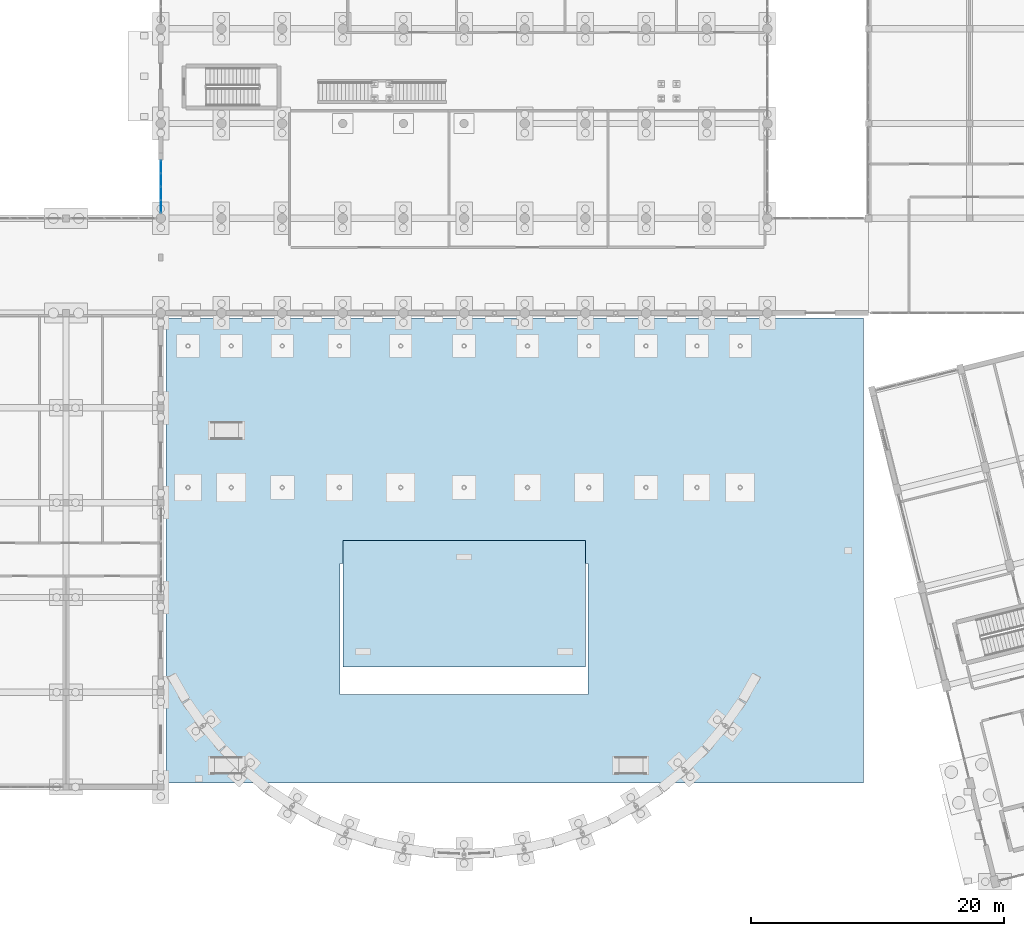
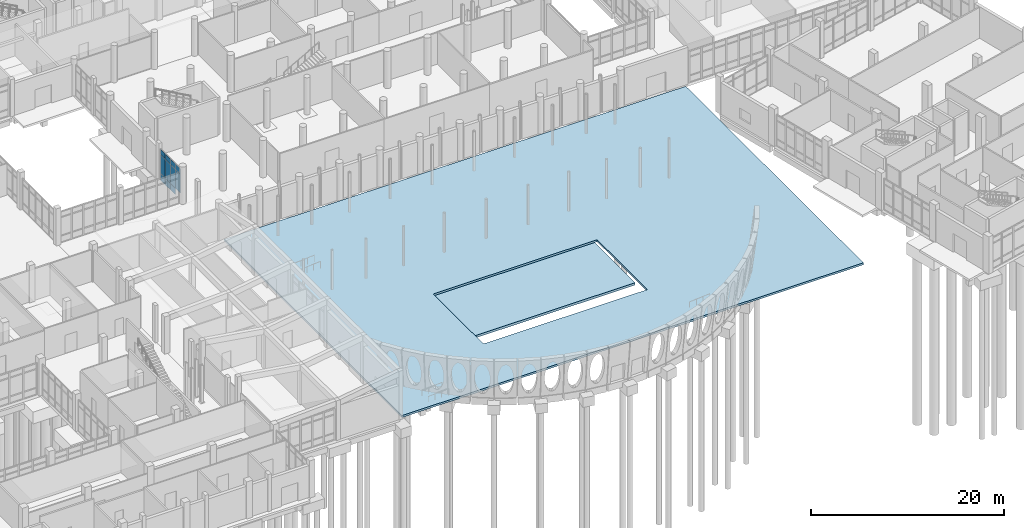
# One storey, part 130 of 173: 11 plates, 2 slabs, 1 element without a shape of its own.
"""IFC4 building model written with IfcOpenShell, lengths in metres."""

from ifc_helpers import new_model, si_unit, direction, frame, origin, origin_2d, place, context, subcontext, project, spatial, polyline, rectangle, outline, extrude, material, layer, layer_set, type_object, element, aggregate, save


model = new_model("IFC4")

# Units and contexts
model_context = context("Model", 3, precision=1e-05, world=origin(), true_north=direction((0.0, 1.0)))
body_context = subcontext(model_context, "Body", "Model", "MODEL_VIEW")
ifc_project = project(units=[si_unit("LENGTHUNIT", "METRE"), si_unit("AREAUNIT", "SQUARE_METRE"), si_unit("VOLUMEUNIT", "CUBIC_METRE"), si_unit("PLANEANGLEUNIT", "RADIAN"), si_unit("MASSUNIT", "GRAM", prefix="KILO")], contexts=[model_context])

# Site, building, storey
site_placement = place(None, origin())
site = spatial("IfcSite", under=ifc_project, at=site_placement, CompositionType="ELEMENT")
building_placement = place(site_placement, origin())
building = spatial("IfcBuilding", under=site, at=building_placement, Name="Mawjan Specialist Oncology Clinic", CompositionType="ELEMENT")
storey_placement = place(building_placement, origin())
storey = spatial("IfcBuildingStorey", under=building, at=storey_placement, Name="L00", CompositionType="ELEMENT", Elevation=0.0)

# Slab
ifc_material_1 = material(Name="Concrete C40/50", Category="concrete")
ifc_layer_1 = layer(ifc_material_1, 0.25, Name="Concrete C40/50", Category="concrete")
ifc_layer_set_1 = layer_set([ifc_layer_1], Name="Concrete C40/50")
slab_type_1 = type_object("IfcSlabType", Name="AP-250", PredefinedType="BASESLAB", material=ifc_layer_set_1)
slab_1_placement = place(storey_placement, frame((0.0, 0.0, -0.25)))
element("IfcSlab", 1, at=slab_1_placement, inside=storey, type_object=slab_type_1, Name="Ground Exterior Paved Apron SLB-APR-C1", PredefinedType="BASESLAB", context=body_context, shape_type="SweptSolid", body=[
    extrude(outline(polyline([(60.39990234375, 8.60009765625), (115.60009765625, 8.60009765625), (115.60009765625, 45.39990234375), (60.39990234375, 45.39990234375), (60.39990234375, 8.60009765625)]), holes=[polyline([(74.199951171875, 15.60009765625), (93.800048828125, 15.60009765625), (93.800048828125, 26.0), (74.199951171875, 26.0), (74.199951171875, 15.60009765625)])]), origin(), (0.0, 0.0, 1.0), 0.25),
])

# Curtain wall, plates
ifc_material_2 = material(Name="Unitised spectrally selective aluminium curtain wall", Category="aluminium")
ifc_layer_2 = layer(ifc_material_2, 0.179931640625, Name="Unitised spectrally selective aluminium curtain wall", Category="aluminium")
ifc_layer_set_2 = layer_set([ifc_layer_2], Name="Unitised spectrally selective aluminium curtain wall")
curtain_wall_type = type_object("IfcCurtainWallType", Name="CW-23", PredefinedType="NOTDEFINED", material=ifc_layer_set_2)
curtain_wall_placement = place(storey_placement, origin())
curtain_wall = element("IfcCurtainWall", 2, at=curtain_wall_placement, inside=storey, type_object=curtain_wall_type, Name="L00 Unitised Curtain Wall CW-L00-041", PredefinedType="NOTDEFINED")
ifc_material_3 = material(Name="Spectrally selective double low-E glazing", Category="glass")
ifc_layer_3 = layer(ifc_material_3, 0.035888671875, Name="Spectrally selective double low-E glazing", Category="glass")
ifc_layer_set_3 = layer_set([ifc_layer_3], Name="Spectrally selective double low-E glazing")
plate_type = type_object("IfcPlateType", Name="CW-P36", PredefinedType="CURTAIN_PANEL", material=ifc_layer_set_3)
plate_1_placement = place(storey_placement, frame((60.0, 54.236328125, 0.93017578125), z_axis=(0.0, 0.0, 1.0), x_axis=(0.0, 1.0, 0.0)))
plate_1 = element("IfcPlate", 3, at=plate_1_placement, type_object=plate_type, Name="CW-23 panel 1.2", PredefinedType="CURTAIN_PANEL", context=body_context, shape_type="SweptSolid", body=[
    extrude(rectangle(XDim=0.96240234375, YDim=0.035888671875, at=origin_2d()), origin(), (0.0, 0.0, 1.0), 2.324951171875),
])
plate_2_placement = place(storey_placement, frame((60.0, 54.236328125, 3.31494140625), z_axis=(0.0, 0.0, 1.0), x_axis=(0.0, 1.0, 0.0)))
plate_2 = element("IfcPlate", 4, at=plate_2_placement, type_object=plate_type, Name="CW-23 panel 1.3", PredefinedType="CURTAIN_PANEL", context=body_context, shape_type="SweptSolid", body=[
    extrude(rectangle(XDim=0.96240234375, YDim=0.035888671875, at=origin_2d()), origin(), (0.0, 0.0, 1.0), 0.659912109375),
])
plate_3_placement = place(storey_placement, frame((60.0, 55.273681640625, 0.06005859375), z_axis=(0.0, 0.0, 1.0), x_axis=(0.0, 1.0, 0.0)))
plate_3 = element("IfcPlate", 5, at=plate_3_placement, type_object=plate_type, Name="CW-23 panel 2.1", PredefinedType="CURTAIN_PANEL", context=body_context, shape_type="SweptSolid", body=[
    extrude(rectangle(XDim=0.992431640625, YDim=0.035888671875, at=origin_2d()), origin(), (0.0, 0.0, 1.0), 0.81005859375),
])
plate_4_placement = place(storey_placement, frame((60.0, 55.273681640625, 0.93017578125), z_axis=(0.0, 0.0, 1.0), x_axis=(0.0, 1.0, 0.0)))
plate_4 = element("IfcPlate", 6, at=plate_4_placement, type_object=plate_type, Name="CW-23 panel 2.2", PredefinedType="CURTAIN_PANEL", context=body_context, shape_type="SweptSolid", body=[
    extrude(rectangle(XDim=0.992431640625, YDim=0.035888671875, at=origin_2d()), origin(), (0.0, 0.0, 1.0), 2.324951171875),
])
plate_5_placement = place(storey_placement, frame((60.0, 55.273681640625, 3.31494140625), z_axis=(0.0, 0.0, 1.0), x_axis=(0.0, 1.0, 0.0)))
plate_5 = element("IfcPlate", 7, at=plate_5_placement, type_object=plate_type, Name="CW-23 panel 2.3", PredefinedType="CURTAIN_PANEL", context=body_context, shape_type="SweptSolid", body=[
    extrude(rectangle(XDim=0.992431640625, YDim=0.035888671875, at=origin_2d()), origin(), (0.0, 0.0, 1.0), 0.659912109375),
])
plate_6_placement = place(storey_placement, frame((60.0, 56.326171875, 0.06005859375), z_axis=(0.0, 0.0, 1.0), x_axis=(0.0, 1.0, 0.0)))
plate_6 = element("IfcPlate", 8, at=plate_6_placement, type_object=plate_type, Name="CW-23 panel 3.1", PredefinedType="CURTAIN_PANEL", context=body_context, shape_type="SweptSolid", body=[
    extrude(rectangle(XDim=0.992431640625, YDim=0.035888671875, at=origin_2d()), origin(), (0.0, 0.0, 1.0), 0.81005859375),
])
plate_7_placement = place(storey_placement, frame((60.0, 56.326171875, 0.93017578125), z_axis=(0.0, 0.0, 1.0), x_axis=(0.0, 1.0, 0.0)))
plate_7 = element("IfcPlate", 9, at=plate_7_placement, type_object=plate_type, Name="CW-23 panel 3.2", PredefinedType="CURTAIN_PANEL", context=body_context, shape_type="SweptSolid", body=[
    extrude(rectangle(XDim=0.992431640625, YDim=0.035888671875, at=origin_2d()), origin(), (0.0, 0.0, 1.0), 2.324951171875),
])
plate_8_placement = place(storey_placement, frame((60.0, 56.326171875, 3.31494140625), z_axis=(0.0, 0.0, 1.0), x_axis=(0.0, 1.0, 0.0)))
plate_8 = element("IfcPlate", 10, at=plate_8_placement, type_object=plate_type, Name="CW-23 panel 3.3", PredefinedType="CURTAIN_PANEL", context=body_context, shape_type="SweptSolid", body=[
    extrude(rectangle(XDim=0.992431640625, YDim=0.035888671875, at=origin_2d()), origin(), (0.0, 0.0, 1.0), 0.659912109375),
])
plate_9_placement = place(storey_placement, frame((60.0, 57.36376953125, 0.06005859375), z_axis=(0.0, 0.0, 1.0), x_axis=(0.0, 1.0, 0.0)))
plate_9 = element("IfcPlate", 11, at=plate_9_placement, type_object=plate_type, Name="CW-23 panel 4.1", PredefinedType="CURTAIN_PANEL", context=body_context, shape_type="SweptSolid", body=[
    extrude(rectangle(XDim=0.96240234375, YDim=0.035888671875, at=origin_2d()), origin(), (0.0, 0.0, 1.0), 0.81005859375),
])
plate_10_placement = place(storey_placement, frame((60.0, 57.36376953125, 0.93017578125), z_axis=(0.0, 0.0, 1.0), x_axis=(0.0, 1.0, 0.0)))
plate_10 = element("IfcPlate", 12, at=plate_10_placement, type_object=plate_type, Name="CW-23 panel 4.2", PredefinedType="CURTAIN_PANEL", context=body_context, shape_type="SweptSolid", body=[
    extrude(rectangle(XDim=0.96240234375, YDim=0.035888671875, at=origin_2d()), origin(), (0.0, 0.0, 1.0), 2.324951171875),
])
plate_11_placement = place(storey_placement, frame((60.0, 57.36376953125, 3.31494140625), z_axis=(0.0, 0.0, 1.0), x_axis=(0.0, 1.0, 0.0)))
plate_11 = element("IfcPlate", 13, at=plate_11_placement, type_object=plate_type, Name="CW-23 panel 4.3", PredefinedType="CURTAIN_PANEL", context=body_context, shape_type="SweptSolid", body=[
    extrude(rectangle(XDim=0.96240234375, YDim=0.035888671875, at=origin_2d()), origin(), (0.0, 0.0, 1.0), 0.659912109375),
])
aggregate(curtain_wall, [plate_1, plate_2, plate_3, plate_4, plate_5, plate_6, plate_7, plate_8, plate_9, plate_10, plate_11])

# Slab
ifc_material_4 = material(Name="Concrete C40/50", Category="concrete")
ifc_layer_4 = layer(ifc_material_4, 0.300048828125, Name="Concrete C40/50", Category="concrete")
ifc_layer_set_4 = layer_set([ifc_layer_4], Name="Concrete C40/50")
slab_type_2 = type_object("IfcSlabType", Name="PL-300", PredefinedType="BASESLAB", material=ifc_layer_set_4)
slab_2_placement = place(storey_placement, frame((0.0, 0.0, -0.699951171875)))
element("IfcSlab", 14, at=slab_2_placement, inside=storey, type_object=slab_type_2, Name="L00 Healing Garden Pavilion Slab SLB-POOL-L00", PredefinedType="BASESLAB", context=body_context, shape_type="SweptSolid", body=[
    extrude(outline(polyline([(74.39990234375, 17.800048828125), (93.60009765625, 17.800048828125), (93.60009765625, 27.800048828125), (74.39990234375, 27.800048828125), (74.39990234375, 17.800048828125)])), origin(), (0.0, 0.0, 1.0), 0.300048828125),
])

save(model, "model.ifc")
